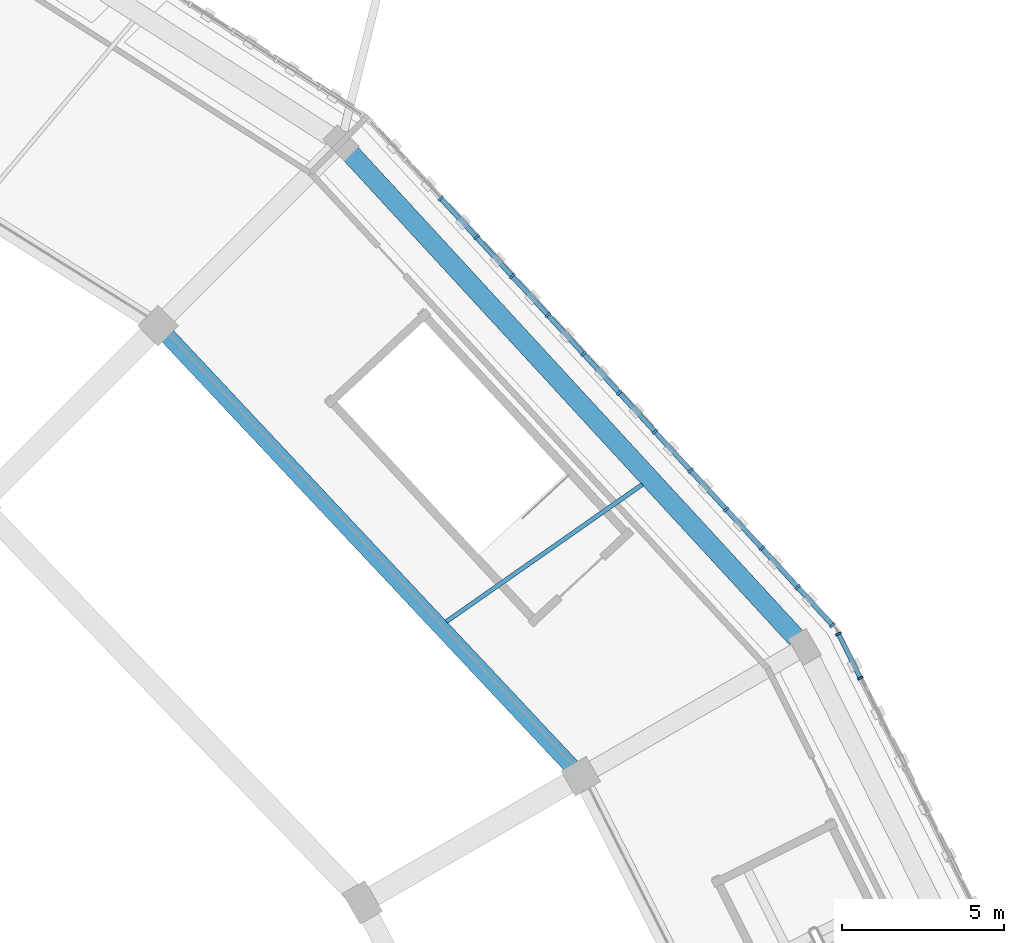
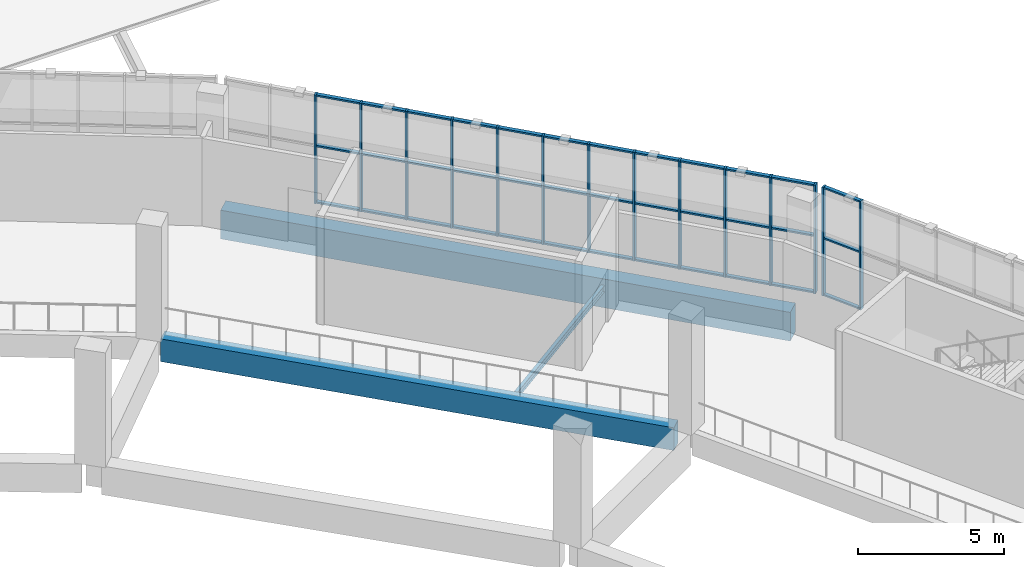
# One storey, part 44 of 108: 50 members, 3 beams, 2 elements without a shape of their own.
"""IFC4 building model written with IfcOpenShell, lengths in metres."""

from ifc_helpers import new_model, si_unit, direction, frame, origin, origin_2d, place, context, subcontext, project, spatial, rectangle, i_section, extrude, material, material_profile, profile_set, type_object, element, aggregate, save


model = new_model("IFC4")

# Units and contexts
model_context = context("Model", 3, precision=1e-05, world=origin(), true_north=direction((0.0, 1.0)))
body_context = subcontext(model_context, "Body", "Model", "MODEL_VIEW")
ifc_project = project(units=[si_unit("LENGTHUNIT", "METRE"), si_unit("AREAUNIT", "SQUARE_METRE"), si_unit("VOLUMEUNIT", "CUBIC_METRE"), si_unit("PLANEANGLEUNIT", "RADIAN"), si_unit("MASSUNIT", "GRAM", prefix="KILO")], contexts=[model_context])

# Site, building, storey
site_placement = place(None, origin())
site = spatial("IfcSite", under=ifc_project, at=site_placement, CompositionType="ELEMENT")
building_placement = place(site_placement, origin())
building = spatial("IfcBuilding", under=site, at=building_placement, Name="Zevraka Park Crest Stadium", CompositionType="ELEMENT")
storey_placement = place(building_placement, frame((0.0, 0.0, 19.800048828125)))
storey = spatial("IfcBuildingStorey", under=building, at=storey_placement, Name="L04", CompositionType="ELEMENT", Elevation=19.800048828125)

# Curtain wall, members
ifc_material_1 = material(Name="Anodised architectural aluminium and laminated safety glass", Category="aluminium")
curtain_wall_type_1 = type_object("IfcCurtainWallType", Name="CW17", PredefinedType="NOTDEFINED", material=ifc_material_1)
curtain_wall_1_placement = place(storey_placement, origin())
curtain_wall_1 = element("IfcCurtainWall", 1, at=curtain_wall_1_placement, inside=storey, type_object=curtain_wall_type_1, Name="Unitised Ring Curtain Wall CW17 L04-01", PredefinedType="NOTDEFINED")
ifc_material_2 = material(Name="Anodised architectural aluminium", Category="aluminium")
ifc_material_profile_1 = material_profile(ifc_material_2, rectangle(XDim=0.179931640625, YDim=0.06494140625, at=origin_2d()), Name="ALU MULLION 180x65")
ifc_profile_set_1 = profile_set([ifc_material_profile_1], Name="Anodised architectural aluminium")
member_type_1 = type_object("IfcMemberType", Name="CM02", PredefinedType="MULLION", material=ifc_profile_set_1)
member_1_placement = place(storey_placement, frame((191.924560546875, 128.68896484375, 0.0), z_axis=(0.0, 0.0, 1.0), x_axis=(-0.896046076106, -0.443961067545, 0.0)))
member_1 = element("IfcMember", 2, at=member_1_placement, type_object=member_type_1, Name="CW17 mullion 13", PredefinedType="MULLION", context=body_context, shape_type="SweptSolid", body=[
    extrude(rectangle(XDim=0.179931640625, YDim=0.06494140625, at=origin_2d()), origin(), (0.0, 0.0, 1.0), 4.5400390625),
])
member_2_placement = place(storey_placement, frame((191.245361328125, 130.059814453125, 0.0), z_axis=(0.0, 0.0, 1.0), x_axis=(-0.896046076106, -0.443961067545, 0.0)))
member_2 = element("IfcMember", 3, at=member_2_placement, type_object=member_type_1, Name="CW17 mullion 14", PredefinedType="MULLION", context=body_context, shape_type="SweptSolid", body=[
    extrude(rectangle(XDim=0.179931640625, YDim=0.06494140625, at=origin_2d()), origin(), (0.0, 0.0, 1.0), 4.5400390625),
])

ifc_material_3 = material(Name="Anodised architectural aluminium and laminated safety glass", Category="aluminium")
curtain_wall_type_2 = type_object("IfcCurtainWallType", Name="CW18", PredefinedType="NOTDEFINED", material=ifc_material_3)
curtain_wall_2_placement = place(storey_placement, origin())
curtain_wall_2 = element("IfcCurtainWall", 4, at=curtain_wall_2_placement, inside=storey, type_object=curtain_wall_type_2, Name="Unitised Ring Curtain Wall CW18 L04-02", PredefinedType="NOTDEFINED")
ifc_material_4 = material(Name="Anodised architectural aluminium", Category="aluminium")
ifc_material_profile_2 = material_profile(ifc_material_4, rectangle(XDim=0.199951171875, YDim=0.070068359375, at=origin_2d()), Name="ALU MULLION 200x70")
ifc_profile_set_2 = profile_set([ifc_material_profile_2], Name="Anodised architectural aluminium")
member_type_2 = type_object("IfcMemberType", Name="CM03", PredefinedType="MULLION", material=ifc_profile_set_2)
member_3_placement = place(storey_placement, frame((191.063232421875, 130.32470703125, 0.0), z_axis=(0.0, 0.0, 1.0), x_axis=(-0.736774619932, -0.676138417355, 0.0)))
member_3 = element("IfcMember", 5, at=member_3_placement, type_object=member_type_2, Name="CW18 mullion 1", PredefinedType="MULLION", context=body_context, shape_type="SweptSolid", body=[
    extrude(rectangle(XDim=0.199951171875, YDim=0.070068359375, at=origin_2d()), origin(), (0.0, 0.0, 1.0), 4.5400390625),
])
member_4_placement = place(storey_placement, frame((189.983154296875, 131.501953125, 0.0), z_axis=(0.0, 0.0, 1.0), x_axis=(-0.736774619932, -0.676138417355, 0.0)))
member_4 = element("IfcMember", 6, at=member_4_placement, type_object=member_type_2, Name="CW18 mullion 2", PredefinedType="MULLION", context=body_context, shape_type="SweptSolid", body=[
    extrude(rectangle(XDim=0.199951171875, YDim=0.070068359375, at=origin_2d()), origin(), (0.0, 0.0, 1.0), 4.5400390625),
])
member_5_placement = place(storey_placement, frame((188.879150390625, 132.704833984375, 0.0), z_axis=(0.0, 0.0, 1.0), x_axis=(-0.736774619932, -0.676138417355, 0.0)))
member_5 = element("IfcMember", 7, at=member_5_placement, type_object=member_type_2, Name="CW18 mullion 3", PredefinedType="MULLION", context=body_context, shape_type="SweptSolid", body=[
    extrude(rectangle(XDim=0.199951171875, YDim=0.070068359375, at=origin_2d()), origin(), (0.0, 0.0, 1.0), 4.5400390625),
])
member_6_placement = place(storey_placement, frame((187.775146484375, 133.90771484375, 0.0), z_axis=(0.0, 0.0, 1.0), x_axis=(-0.736774619932, -0.676138417355, 0.0)))
member_6 = element("IfcMember", 8, at=member_6_placement, type_object=member_type_2, Name="CW18 mullion 4", PredefinedType="MULLION", context=body_context, shape_type="SweptSolid", body=[
    extrude(rectangle(XDim=0.199951171875, YDim=0.070068359375, at=origin_2d()), origin(), (0.0, 0.0, 1.0), 4.5400390625),
])
member_7_placement = place(storey_placement, frame((186.67138671875, 135.110595703125, 0.0), z_axis=(0.0, 0.0, 1.0), x_axis=(-0.736774619932, -0.676138417355, 0.0)))
member_7 = element("IfcMember", 9, at=member_7_placement, type_object=member_type_2, Name="CW18 mullion 5", PredefinedType="MULLION", context=body_context, shape_type="SweptSolid", body=[
    extrude(rectangle(XDim=0.199951171875, YDim=0.070068359375, at=origin_2d()), origin(), (0.0, 0.0, 1.0), 4.5400390625),
])
member_8_placement = place(storey_placement, frame((185.5673828125, 136.313720703125, 0.0), z_axis=(0.0, 0.0, 1.0), x_axis=(-0.736774619932, -0.676138417355, 0.0)))
member_8 = element("IfcMember", 10, at=member_8_placement, type_object=member_type_2, Name="CW18 mullion 6", PredefinedType="MULLION", context=body_context, shape_type="SweptSolid", body=[
    extrude(rectangle(XDim=0.199951171875, YDim=0.070068359375, at=origin_2d()), origin(), (0.0, 0.0, 1.0), 4.5400390625),
])
member_9_placement = place(storey_placement, frame((184.46337890625, 137.5166015625, 0.0), z_axis=(0.0, 0.0, 1.0), x_axis=(-0.736774619932, -0.676138417355, 0.0)))
member_9 = element("IfcMember", 11, at=member_9_placement, type_object=member_type_2, Name="CW18 mullion 7", PredefinedType="MULLION", context=body_context, shape_type="SweptSolid", body=[
    extrude(rectangle(XDim=0.199951171875, YDim=0.070068359375, at=origin_2d()), origin(), (0.0, 0.0, 1.0), 4.5400390625),
])
member_10_placement = place(storey_placement, frame((183.359619140625, 138.719482421875, 0.0), z_axis=(0.0, 0.0, 1.0), x_axis=(-0.736774619932, -0.676138417355, 0.0)))
member_10 = element("IfcMember", 12, at=member_10_placement, type_object=member_type_2, Name="CW18 mullion 8", PredefinedType="MULLION", context=body_context, shape_type="SweptSolid", body=[
    extrude(rectangle(XDim=0.199951171875, YDim=0.070068359375, at=origin_2d()), origin(), (0.0, 0.0, 1.0), 4.5400390625),
])
member_11_placement = place(storey_placement, frame((182.255615234375, 139.92236328125, 0.0), z_axis=(0.0, 0.0, 1.0), x_axis=(-0.736774619932, -0.676138417355, 0.0)))
member_11 = element("IfcMember", 13, at=member_11_placement, type_object=member_type_2, Name="CW18 mullion 9", PredefinedType="MULLION", context=body_context, shape_type="SweptSolid", body=[
    extrude(rectangle(XDim=0.199951171875, YDim=0.070068359375, at=origin_2d()), origin(), (0.0, 0.0, 1.0), 4.5400390625),
])
member_12_placement = place(storey_placement, frame((181.151611328125, 141.125244140625, 0.0), z_axis=(0.0, 0.0, 1.0), x_axis=(-0.736774619932, -0.676138417355, 0.0)))
member_12 = element("IfcMember", 14, at=member_12_placement, type_object=member_type_2, Name="CW18 mullion 10", PredefinedType="MULLION", context=body_context, shape_type="SweptSolid", body=[
    extrude(rectangle(XDim=0.199951171875, YDim=0.070068359375, at=origin_2d()), origin(), (0.0, 0.0, 1.0), 4.5400390625),
])
member_13_placement = place(storey_placement, frame((180.0478515625, 142.328125, 0.0), z_axis=(0.0, 0.0, 1.0), x_axis=(-0.736774619932, -0.676138417355, 0.0)))
member_13 = element("IfcMember", 15, at=member_13_placement, type_object=member_type_2, Name="CW18 mullion 11", PredefinedType="MULLION", context=body_context, shape_type="SweptSolid", body=[
    extrude(rectangle(XDim=0.199951171875, YDim=0.070068359375, at=origin_2d()), origin(), (0.0, 0.0, 1.0), 4.5400390625),
])
member_14_placement = place(storey_placement, frame((178.94384765625, 143.53125, 0.0), z_axis=(0.0, 0.0, 1.0), x_axis=(-0.736774619932, -0.676138417355, 0.0)))
member_14 = element("IfcMember", 16, at=member_14_placement, type_object=member_type_2, Name="CW18 mullion 12", PredefinedType="MULLION", context=body_context, shape_type="SweptSolid", body=[
    extrude(rectangle(XDim=0.199951171875, YDim=0.070068359375, at=origin_2d()), origin(), (0.0, 0.0, 1.0), 4.5400390625),
])

# Member
ifc_material_5 = material(Name="Anodised architectural aluminium", Category="aluminium")
ifc_material_profile_3 = material_profile(ifc_material_5, rectangle(XDim=0.139892578125, YDim=0.06494140625, at=origin_2d()), Name="ALU TRANSOM 140x65")
ifc_profile_set_3 = profile_set([ifc_material_profile_3], Name="Anodised architectural aluminium")
member_type_3 = type_object("IfcMemberType", Name="CT02", PredefinedType="USERDEFINED", material=ifc_profile_set_3)
member_15_placement = place(storey_placement, frame((191.91015625, 128.71826171875, 0.032470703125), z_axis=(-0.444010656384, 0.896021504774, 0.0), x_axis=(-0.896021504774, -0.444010656384, 0.0)))
member_15 = element("IfcMember", 17, at=member_15_placement, type_object=member_type_3, Name="CW17 transom 13.1", ObjectType="TRANSOM", PredefinedType="USERDEFINED", context=body_context, shape_type="SweptSolid", body=[
    extrude(rectangle(XDim=0.139892578125, YDim=0.06494140625, at=origin_2d()), origin(), (0.0, 0.0, 1.0), 1.46484375),
])

member_16_placement = place(storey_placement, frame((191.91015625, 128.71826171875, 2.39990234375), z_axis=(-0.444010656384, 0.896021504774, 0.0), x_axis=(-0.896021504774, -0.444010656384, 0.0)))
member_16 = element("IfcMember", 18, at=member_16_placement, type_object=member_type_3, Name="CW17 transom 13.2", ObjectType="TRANSOM", PredefinedType="USERDEFINED", context=body_context, shape_type="SweptSolid", body=[
    extrude(rectangle(XDim=0.139892578125, YDim=0.06494140625, at=origin_2d()), origin(), (0.0, 0.0, 1.0), 1.46484375),
])

member_17_placement = place(storey_placement, frame((191.91015625, 128.71826171875, 4.507568359375), z_axis=(-0.444010656384, 0.896021504774, 0.0), x_axis=(-0.896021504774, -0.444010656384, 0.0)))
member_17 = element("IfcMember", 19, at=member_17_placement, type_object=member_type_3, Name="CW17 transom 13.3", ObjectType="TRANSOM", PredefinedType="USERDEFINED", context=body_context, shape_type="SweptSolid", body=[
    extrude(rectangle(XDim=0.139892578125, YDim=0.06494140625, at=origin_2d()), origin(), (0.0, 0.0, 1.0), 1.46484375),
])

aggregate(curtain_wall_1, [member_1, member_2, member_15, member_16, member_17])

ifc_material_6 = material(Name="Anodised architectural aluminium", Category="aluminium")
ifc_material_profile_4 = material_profile(ifc_material_6, rectangle(XDim=0.14990234375, YDim=0.070068359375, at=origin_2d()), Name="ALU TRANSOM 150x70")
ifc_profile_set_4 = profile_set([ifc_material_profile_4], Name="Anodised architectural aluminium")
member_type_4 = type_object("IfcMemberType", Name="CT03", PredefinedType="USERDEFINED", material=ifc_profile_set_4)
member_18_placement = place(storey_placement, frame((191.03955078125, 130.3505859375, 0.034912109375), z_axis=(-0.676086429297, 0.736822326019, 0.0), x_axis=(-0.736822326019, -0.676086429297, 0.0)))
member_18 = element("IfcMember", 20, at=member_18_placement, type_object=member_type_4, Name="CW18 transom 1.1", ObjectType="TRANSOM", PredefinedType="USERDEFINED", context=body_context, shape_type="SweptSolid", body=[
    extrude(rectangle(XDim=0.14990234375, YDim=0.070068359375, at=origin_2d()), origin(), (0.0, 0.0, 1.0), 1.527587890625),
])

member_19_placement = place(storey_placement, frame((191.03955078125, 130.3505859375, 2.39990234375), z_axis=(-0.676086429297, 0.736822326019, 0.0), x_axis=(-0.736822326019, -0.676086429297, 0.0)))
member_19 = element("IfcMember", 21, at=member_19_placement, type_object=member_type_4, Name="CW18 transom 1.2", ObjectType="TRANSOM", PredefinedType="USERDEFINED", context=body_context, shape_type="SweptSolid", body=[
    extrude(rectangle(XDim=0.14990234375, YDim=0.070068359375, at=origin_2d()), origin(), (0.0, 0.0, 1.0), 1.527587890625),
])

member_20_placement = place(storey_placement, frame((191.03955078125, 130.3505859375, 4.5048828125), z_axis=(-0.676086429297, 0.736822326019, 0.0), x_axis=(-0.736822326019, -0.676086429297, 0.0)))
member_20 = element("IfcMember", 22, at=member_20_placement, type_object=member_type_4, Name="CW18 transom 1.3", ObjectType="TRANSOM", PredefinedType="USERDEFINED", context=body_context, shape_type="SweptSolid", body=[
    extrude(rectangle(XDim=0.14990234375, YDim=0.070068359375, at=origin_2d()), origin(), (0.0, 0.0, 1.0), 1.527587890625),
])

member_21_placement = place(storey_placement, frame((189.95947265625, 131.52783203125, 0.034912109375), z_axis=(-0.676226812884, 0.736693489544, 0.0), x_axis=(-0.736693489544, -0.676226812884, 0.0)))
member_21 = element("IfcMember", 23, at=member_21_placement, type_object=member_type_4, Name="CW18 transom 2.1", ObjectType="TRANSOM", PredefinedType="USERDEFINED", context=body_context, shape_type="SweptSolid", body=[
    extrude(rectangle(XDim=0.14990234375, YDim=0.070068359375, at=origin_2d()), origin(), (0.0, 0.0, 1.0), 1.5625),
])

member_22_placement = place(storey_placement, frame((189.95947265625, 131.52783203125, 2.39990234375), z_axis=(-0.676226812884, 0.736693489544, 0.0), x_axis=(-0.736693489544, -0.676226812884, 0.0)))
member_22 = element("IfcMember", 24, at=member_22_placement, type_object=member_type_4, Name="CW18 transom 2.2", ObjectType="TRANSOM", PredefinedType="USERDEFINED", context=body_context, shape_type="SweptSolid", body=[
    extrude(rectangle(XDim=0.14990234375, YDim=0.070068359375, at=origin_2d()), origin(), (0.0, 0.0, 1.0), 1.5625),
])

member_23_placement = place(storey_placement, frame((189.95947265625, 131.52783203125, 4.5048828125), z_axis=(-0.676226812884, 0.736693489544, 0.0), x_axis=(-0.736693489544, -0.676226812884, 0.0)))
member_23 = element("IfcMember", 25, at=member_23_placement, type_object=member_type_4, Name="CW18 transom 2.3", ObjectType="TRANSOM", PredefinedType="USERDEFINED", context=body_context, shape_type="SweptSolid", body=[
    extrude(rectangle(XDim=0.14990234375, YDim=0.070068359375, at=origin_2d()), origin(), (0.0, 0.0, 1.0), 1.5625),
])

member_24_placement = place(storey_placement, frame((188.85546875, 132.730712890625, 0.034912109375), z_axis=(-0.67614898138, 0.736764925182, 0.0), x_axis=(-0.736764925182, -0.67614898138, 0.0)))
member_24 = element("IfcMember", 26, at=member_24_placement, type_object=member_type_4, Name="CW18 transom 3.1", ObjectType="TRANSOM", PredefinedType="USERDEFINED", context=body_context, shape_type="SweptSolid", body=[
    extrude(rectangle(XDim=0.14990234375, YDim=0.070068359375, at=origin_2d()), origin(), (0.0, 0.0, 1.0), 1.562744140625),
])

member_25_placement = place(storey_placement, frame((188.85546875, 132.730712890625, 2.39990234375), z_axis=(-0.67614898138, 0.736764925182, 0.0), x_axis=(-0.736764925182, -0.67614898138, 0.0)))
member_25 = element("IfcMember", 27, at=member_25_placement, type_object=member_type_4, Name="CW18 transom 3.2", ObjectType="TRANSOM", PredefinedType="USERDEFINED", context=body_context, shape_type="SweptSolid", body=[
    extrude(rectangle(XDim=0.14990234375, YDim=0.070068359375, at=origin_2d()), origin(), (0.0, 0.0, 1.0), 1.562744140625),
])

member_26_placement = place(storey_placement, frame((188.85546875, 132.730712890625, 4.5048828125), z_axis=(-0.67614898138, 0.736764925182, 0.0), x_axis=(-0.736764925182, -0.67614898138, 0.0)))
member_26 = element("IfcMember", 28, at=member_26_placement, type_object=member_type_4, Name="CW18 transom 3.3", ObjectType="TRANSOM", PredefinedType="USERDEFINED", context=body_context, shape_type="SweptSolid", body=[
    extrude(rectangle(XDim=0.14990234375, YDim=0.070068359375, at=origin_2d()), origin(), (0.0, 0.0, 1.0), 1.562744140625),
])

member_27_placement = place(storey_placement, frame((187.75146484375, 133.93359375, 0.034912109375), z_axis=(-0.676064164587, 0.73684275484, 0.0), x_axis=(-0.73684275484, -0.676064164587, 0.0)))
member_27 = element("IfcMember", 29, at=member_27_placement, type_object=member_type_4, Name="CW18 transom 4.1", ObjectType="TRANSOM", PredefinedType="USERDEFINED", context=body_context, shape_type="SweptSolid", body=[
    extrude(rectangle(XDim=0.14990234375, YDim=0.070068359375, at=origin_2d()), origin(), (0.0, 0.0, 1.0), 1.5625),
])

member_28_placement = place(storey_placement, frame((187.75146484375, 133.93359375, 2.39990234375), z_axis=(-0.676064164587, 0.73684275484, 0.0), x_axis=(-0.73684275484, -0.676064164587, 0.0)))
member_28 = element("IfcMember", 30, at=member_28_placement, type_object=member_type_4, Name="CW18 transom 4.2", ObjectType="TRANSOM", PredefinedType="USERDEFINED", context=body_context, shape_type="SweptSolid", body=[
    extrude(rectangle(XDim=0.14990234375, YDim=0.070068359375, at=origin_2d()), origin(), (0.0, 0.0, 1.0), 1.5625),
])

member_29_placement = place(storey_placement, frame((187.75146484375, 133.93359375, 4.5048828125), z_axis=(-0.676064164587, 0.73684275484, 0.0), x_axis=(-0.73684275484, -0.676064164587, 0.0)))
member_29 = element("IfcMember", 31, at=member_29_placement, type_object=member_type_4, Name="CW18 transom 4.3", ObjectType="TRANSOM", PredefinedType="USERDEFINED", context=body_context, shape_type="SweptSolid", body=[
    extrude(rectangle(XDim=0.14990234375, YDim=0.070068359375, at=origin_2d()), origin(), (0.0, 0.0, 1.0), 1.5625),
])

member_30_placement = place(storey_placement, frame((186.647705078125, 135.136474609375, 0.034912109375), z_axis=(-0.67614898138, 0.736764925182, 0.0), x_axis=(-0.736764925182, -0.67614898138, 0.0)))
member_30 = element("IfcMember", 32, at=member_30_placement, type_object=member_type_4, Name="CW18 transom 5.1", ObjectType="TRANSOM", PredefinedType="USERDEFINED", context=body_context, shape_type="SweptSolid", body=[
    extrude(rectangle(XDim=0.14990234375, YDim=0.070068359375, at=origin_2d()), origin(), (0.0, 0.0, 1.0), 1.562744140625),
])

member_31_placement = place(storey_placement, frame((186.647705078125, 135.136474609375, 2.39990234375), z_axis=(-0.67614898138, 0.736764925182, 0.0), x_axis=(-0.736764925182, -0.67614898138, 0.0)))
member_31 = element("IfcMember", 33, at=member_31_placement, type_object=member_type_4, Name="CW18 transom 5.2", ObjectType="TRANSOM", PredefinedType="USERDEFINED", context=body_context, shape_type="SweptSolid", body=[
    extrude(rectangle(XDim=0.14990234375, YDim=0.070068359375, at=origin_2d()), origin(), (0.0, 0.0, 1.0), 1.562744140625),
])

member_32_placement = place(storey_placement, frame((186.647705078125, 135.136474609375, 4.5048828125), z_axis=(-0.67614898138, 0.736764925182, 0.0), x_axis=(-0.736764925182, -0.67614898138, 0.0)))
member_32 = element("IfcMember", 34, at=member_32_placement, type_object=member_type_4, Name="CW18 transom 5.3", ObjectType="TRANSOM", PredefinedType="USERDEFINED", context=body_context, shape_type="SweptSolid", body=[
    extrude(rectangle(XDim=0.14990234375, YDim=0.070068359375, at=origin_2d()), origin(), (0.0, 0.0, 1.0), 1.562744140625),
])

member_33_placement = place(storey_placement, frame((185.543701171875, 136.33935546875, 0.034912109375), z_axis=(-0.67614898138, 0.736764925182, 0.0), x_axis=(-0.736764925182, -0.67614898138, 0.0)))
member_33 = element("IfcMember", 35, at=member_33_placement, type_object=member_type_4, Name="CW18 transom 6.1", ObjectType="TRANSOM", PredefinedType="USERDEFINED", context=body_context, shape_type="SweptSolid", body=[
    extrude(rectangle(XDim=0.14990234375, YDim=0.070068359375, at=origin_2d()), origin(), (0.0, 0.0, 1.0), 1.562744140625),
])

member_34_placement = place(storey_placement, frame((185.543701171875, 136.33935546875, 2.39990234375), z_axis=(-0.67614898138, 0.736764925182, 0.0), x_axis=(-0.736764925182, -0.67614898138, 0.0)))
member_34 = element("IfcMember", 36, at=member_34_placement, type_object=member_type_4, Name="CW18 transom 6.2", ObjectType="TRANSOM", PredefinedType="USERDEFINED", context=body_context, shape_type="SweptSolid", body=[
    extrude(rectangle(XDim=0.14990234375, YDim=0.070068359375, at=origin_2d()), origin(), (0.0, 0.0, 1.0), 1.562744140625),
])

member_35_placement = place(storey_placement, frame((185.543701171875, 136.33935546875, 4.5048828125), z_axis=(-0.67614898138, 0.736764925182, 0.0), x_axis=(-0.736764925182, -0.67614898138, 0.0)))
member_35 = element("IfcMember", 37, at=member_35_placement, type_object=member_type_4, Name="CW18 transom 6.3", ObjectType="TRANSOM", PredefinedType="USERDEFINED", context=body_context, shape_type="SweptSolid", body=[
    extrude(rectangle(XDim=0.14990234375, YDim=0.070068359375, at=origin_2d()), origin(), (0.0, 0.0, 1.0), 1.562744140625),
])

member_36_placement = place(storey_placement, frame((184.439697265625, 137.542236328125, 0.034912109375), z_axis=(-0.676064164587, 0.73684275484, 0.0), x_axis=(-0.73684275484, -0.676064164587, 0.0)))
member_36 = element("IfcMember", 38, at=member_36_placement, type_object=member_type_4, Name="CW18 transom 7.1", ObjectType="TRANSOM", PredefinedType="USERDEFINED", context=body_context, shape_type="SweptSolid", body=[
    extrude(rectangle(XDim=0.14990234375, YDim=0.070068359375, at=origin_2d()), origin(), (0.0, 0.0, 1.0), 1.5625),
])

member_37_placement = place(storey_placement, frame((184.439697265625, 137.542236328125, 2.39990234375), z_axis=(-0.676064164587, 0.73684275484, 0.0), x_axis=(-0.73684275484, -0.676064164587, 0.0)))
member_37 = element("IfcMember", 39, at=member_37_placement, type_object=member_type_4, Name="CW18 transom 7.2", ObjectType="TRANSOM", PredefinedType="USERDEFINED", context=body_context, shape_type="SweptSolid", body=[
    extrude(rectangle(XDim=0.14990234375, YDim=0.070068359375, at=origin_2d()), origin(), (0.0, 0.0, 1.0), 1.5625),
])

member_38_placement = place(storey_placement, frame((184.439697265625, 137.542236328125, 4.5048828125), z_axis=(-0.676064164587, 0.73684275484, 0.0), x_axis=(-0.73684275484, -0.676064164587, 0.0)))
member_38 = element("IfcMember", 40, at=member_38_placement, type_object=member_type_4, Name="CW18 transom 7.3", ObjectType="TRANSOM", PredefinedType="USERDEFINED", context=body_context, shape_type="SweptSolid", body=[
    extrude(rectangle(XDim=0.14990234375, YDim=0.070068359375, at=origin_2d()), origin(), (0.0, 0.0, 1.0), 1.5625),
])

member_39_placement = place(storey_placement, frame((183.3359375, 138.745361328125, 0.034912109375), z_axis=(-0.676226812884, 0.736693489544, 0.0), x_axis=(-0.736693489544, -0.676226812884, 0.0)))
member_39 = element("IfcMember", 41, at=member_39_placement, type_object=member_type_4, Name="CW18 transom 8.1", ObjectType="TRANSOM", PredefinedType="USERDEFINED", context=body_context, shape_type="SweptSolid", body=[
    extrude(rectangle(XDim=0.14990234375, YDim=0.070068359375, at=origin_2d()), origin(), (0.0, 0.0, 1.0), 1.5625),
])

member_40_placement = place(storey_placement, frame((183.3359375, 138.745361328125, 2.39990234375), z_axis=(-0.676226812884, 0.736693489544, 0.0), x_axis=(-0.736693489544, -0.676226812884, 0.0)))
member_40 = element("IfcMember", 42, at=member_40_placement, type_object=member_type_4, Name="CW18 transom 8.2", ObjectType="TRANSOM", PredefinedType="USERDEFINED", context=body_context, shape_type="SweptSolid", body=[
    extrude(rectangle(XDim=0.14990234375, YDim=0.070068359375, at=origin_2d()), origin(), (0.0, 0.0, 1.0), 1.5625),
])

member_41_placement = place(storey_placement, frame((183.3359375, 138.745361328125, 4.5048828125), z_axis=(-0.676226812884, 0.736693489544, 0.0), x_axis=(-0.736693489544, -0.676226812884, 0.0)))
member_41 = element("IfcMember", 43, at=member_41_placement, type_object=member_type_4, Name="CW18 transom 8.3", ObjectType="TRANSOM", PredefinedType="USERDEFINED", context=body_context, shape_type="SweptSolid", body=[
    extrude(rectangle(XDim=0.14990234375, YDim=0.070068359375, at=origin_2d()), origin(), (0.0, 0.0, 1.0), 1.5625),
])

member_42_placement = place(storey_placement, frame((182.23193359375, 139.9482421875, 0.034912109375), z_axis=(-0.67614898138, 0.736764925182, 0.0), x_axis=(-0.736764925182, -0.67614898138, 0.0)))
member_42 = element("IfcMember", 44, at=member_42_placement, type_object=member_type_4, Name="CW18 transom 9.1", ObjectType="TRANSOM", PredefinedType="USERDEFINED", context=body_context, shape_type="SweptSolid", body=[
    extrude(rectangle(XDim=0.14990234375, YDim=0.070068359375, at=origin_2d()), origin(), (0.0, 0.0, 1.0), 1.562744140625),
])

member_43_placement = place(storey_placement, frame((182.23193359375, 139.9482421875, 2.39990234375), z_axis=(-0.67614898138, 0.736764925182, 0.0), x_axis=(-0.736764925182, -0.67614898138, 0.0)))
member_43 = element("IfcMember", 45, at=member_43_placement, type_object=member_type_4, Name="CW18 transom 9.2", ObjectType="TRANSOM", PredefinedType="USERDEFINED", context=body_context, shape_type="SweptSolid", body=[
    extrude(rectangle(XDim=0.14990234375, YDim=0.070068359375, at=origin_2d()), origin(), (0.0, 0.0, 1.0), 1.562744140625),
])

member_44_placement = place(storey_placement, frame((182.23193359375, 139.9482421875, 4.5048828125), z_axis=(-0.67614898138, 0.736764925182, 0.0), x_axis=(-0.736764925182, -0.67614898138, 0.0)))
member_44 = element("IfcMember", 46, at=member_44_placement, type_object=member_type_4, Name="CW18 transom 9.3", ObjectType="TRANSOM", PredefinedType="USERDEFINED", context=body_context, shape_type="SweptSolid", body=[
    extrude(rectangle(XDim=0.14990234375, YDim=0.070068359375, at=origin_2d()), origin(), (0.0, 0.0, 1.0), 1.562744140625),
])

member_45_placement = place(storey_placement, frame((181.1279296875, 141.151123046875, 0.034912109375), z_axis=(-0.676064164587, 0.73684275484, 0.0), x_axis=(-0.73684275484, -0.676064164587, 0.0)))
member_45 = element("IfcMember", 47, at=member_45_placement, type_object=member_type_4, Name="CW18 transom 10.1", ObjectType="TRANSOM", PredefinedType="USERDEFINED", context=body_context, shape_type="SweptSolid", body=[
    extrude(rectangle(XDim=0.14990234375, YDim=0.070068359375, at=origin_2d()), origin(), (0.0, 0.0, 1.0), 1.5625),
])

member_46_placement = place(storey_placement, frame((181.1279296875, 141.151123046875, 2.39990234375), z_axis=(-0.676064164587, 0.73684275484, 0.0), x_axis=(-0.73684275484, -0.676064164587, 0.0)))
member_46 = element("IfcMember", 48, at=member_46_placement, type_object=member_type_4, Name="CW18 transom 10.2", ObjectType="TRANSOM", PredefinedType="USERDEFINED", context=body_context, shape_type="SweptSolid", body=[
    extrude(rectangle(XDim=0.14990234375, YDim=0.070068359375, at=origin_2d()), origin(), (0.0, 0.0, 1.0), 1.5625),
])

member_47_placement = place(storey_placement, frame((181.1279296875, 141.151123046875, 4.5048828125), z_axis=(-0.676064164587, 0.73684275484, 0.0), x_axis=(-0.73684275484, -0.676064164587, 0.0)))
member_47 = element("IfcMember", 49, at=member_47_placement, type_object=member_type_4, Name="CW18 transom 10.3", ObjectType="TRANSOM", PredefinedType="USERDEFINED", context=body_context, shape_type="SweptSolid", body=[
    extrude(rectangle(XDim=0.14990234375, YDim=0.070068359375, at=origin_2d()), origin(), (0.0, 0.0, 1.0), 1.5625),
])

member_48_placement = place(storey_placement, frame((180.024169921875, 142.35400390625, 0.034912109375), z_axis=(-0.67614898138, 0.736764925182, 0.0), x_axis=(-0.736764925182, -0.67614898138, 0.0)))
member_48 = element("IfcMember", 50, at=member_48_placement, type_object=member_type_4, Name="CW18 transom 11.1", ObjectType="TRANSOM", PredefinedType="USERDEFINED", context=body_context, shape_type="SweptSolid", body=[
    extrude(rectangle(XDim=0.14990234375, YDim=0.070068359375, at=origin_2d()), origin(), (0.0, 0.0, 1.0), 1.562744140625),
])

member_49_placement = place(storey_placement, frame((180.024169921875, 142.35400390625, 2.39990234375), z_axis=(-0.67614898138, 0.736764925182, 0.0), x_axis=(-0.736764925182, -0.67614898138, 0.0)))
member_49 = element("IfcMember", 51, at=member_49_placement, type_object=member_type_4, Name="CW18 transom 11.2", ObjectType="TRANSOM", PredefinedType="USERDEFINED", context=body_context, shape_type="SweptSolid", body=[
    extrude(rectangle(XDim=0.14990234375, YDim=0.070068359375, at=origin_2d()), origin(), (0.0, 0.0, 1.0), 1.562744140625),
])

member_50_placement = place(storey_placement, frame((180.024169921875, 142.35400390625, 4.5048828125), z_axis=(-0.67614898138, 0.736764925182, 0.0), x_axis=(-0.736764925182, -0.67614898138, 0.0)))
member_50 = element("IfcMember", 52, at=member_50_placement, type_object=member_type_4, Name="CW18 transom 11.3", ObjectType="TRANSOM", PredefinedType="USERDEFINED", context=body_context, shape_type="SweptSolid", body=[
    extrude(rectangle(XDim=0.14990234375, YDim=0.070068359375, at=origin_2d()), origin(), (0.0, 0.0, 1.0), 1.562744140625),
])

aggregate(curtain_wall_2, [member_3, member_4, member_5, member_6, member_7, member_8, member_9, member_10, member_11, member_12, member_13, member_14, member_18, member_19, member_20, member_21, member_22, member_23, member_24, member_25, member_26, member_27, member_28, member_29, member_30, member_31, member_32, member_33, member_34, member_35, member_36, member_37, member_38, member_39, member_40, member_41, member_42, member_43, member_44, member_45, member_46, member_47, member_48, member_49, member_50])

# Beams
ifc_material_7 = material(Name="Concrete C40/50", Category="concrete")
ifc_material_profile_5 = material_profile(ifc_material_7, rectangle(XDim=0.60009765625, YDim=1.199951171875, at=origin_2d()), Name="RC 1200x600")
ifc_profile_set_5 = profile_set([ifc_material_profile_5], Name="Concrete C40/50")
beam_type_1 = type_object("IfcBeamType", Name="RB01", PredefinedType="BEAM", material=ifc_profile_set_5)
beam_1_placement = place(storey_placement, frame((189.945068359375, 129.929931640625, -0.610107421875), z_axis=(-0.677158252403, 0.735837414924, 0.0), x_axis=(-0.735837414924, -0.677158252403, 0.0)))
element("IfcBeam", 53, at=beam_1_placement, inside=storey, type_object=beam_type_1, Name="Ring Beam RB01 L04-D-02", PredefinedType="BEAM", context=body_context, shape_type="SweptSolid", body=[
    extrude(rectangle(XDim=0.60009765625, YDim=1.199951171875, at=origin_2d()), origin(), (0.0, 0.0, 1.0), 20.4326171875),
])
ifc_material_8 = material(Name="Concrete C40/50", Category="concrete")
ifc_material_profile_6 = material_profile(ifc_material_8, rectangle(XDim=0.5, YDim=0.949951171875, at=origin_2d()), Name="RC 950x500")
ifc_profile_set_6 = profile_set([ifc_material_profile_6], Name="Concrete C40/50")
beam_type_2 = type_object("IfcBeamType", Name="RB02", PredefinedType="BEAM", material=ifc_profile_set_6)
beam_2_placement = place(storey_placement, frame((183.013916015625, 125.927001953125, -0.485107421875), z_axis=(-0.684268936493, 0.729229746068, 0.0), x_axis=(-0.729229746068, -0.684268936493, 0.0)))
element("IfcBeam", 54, at=beam_2_placement, inside=storey, type_object=beam_type_2, Name="Ring Beam RB02 L04-C-02", PredefinedType="BEAM", context=body_context, shape_type="SweptSolid", body=[
    extrude(rectangle(XDim=0.5, YDim=0.949951171875, at=origin_2d()), origin(), (0.0, 0.0, 1.0), 18.353759765625),
])
ifc_material_9 = material(Name="Steel S355", Category="steel")
ifc_material_profile_7 = material_profile(ifc_material_9, i_section(OverallWidth=0.135009765625, OverallDepth=0.27001953125, WebThickness=0.006591796875, FlangeThickness=0.01025390625, at=origin_2d()), Name="IPE 270")
ifc_profile_set_7 = profile_set([ifc_material_profile_7], Name="Steel S355")
beam_type_3 = type_object("IfcBeamType", Name="SJ07", PredefinedType="JOIST", material=ifc_profile_set_7)
beam_3_placement = place(storey_placement, frame((179.114990234375, 130.43603515625, -0.403076171875), z_axis=(0.819262921224, 0.573418055093, 0.0), x_axis=(-0.573418055093, 0.819262921224, 0.0)))
element("IfcBeam", 55, at=beam_3_placement, inside=storey, type_object=beam_type_3, Name="Floor Joist SJ07 L04-CD-02-1", PredefinedType="JOIST", context=body_context, shape_type="SweptSolid", body=[
    extrude(i_section(OverallWidth=0.135009765625, OverallDepth=0.27001953125, WebThickness=0.006591796875, FlangeThickness=0.01025390625, at=origin_2d()), origin(), (0.0, 0.0, 1.0), 7.3994140625),
])

save(model, "model.ifc")
